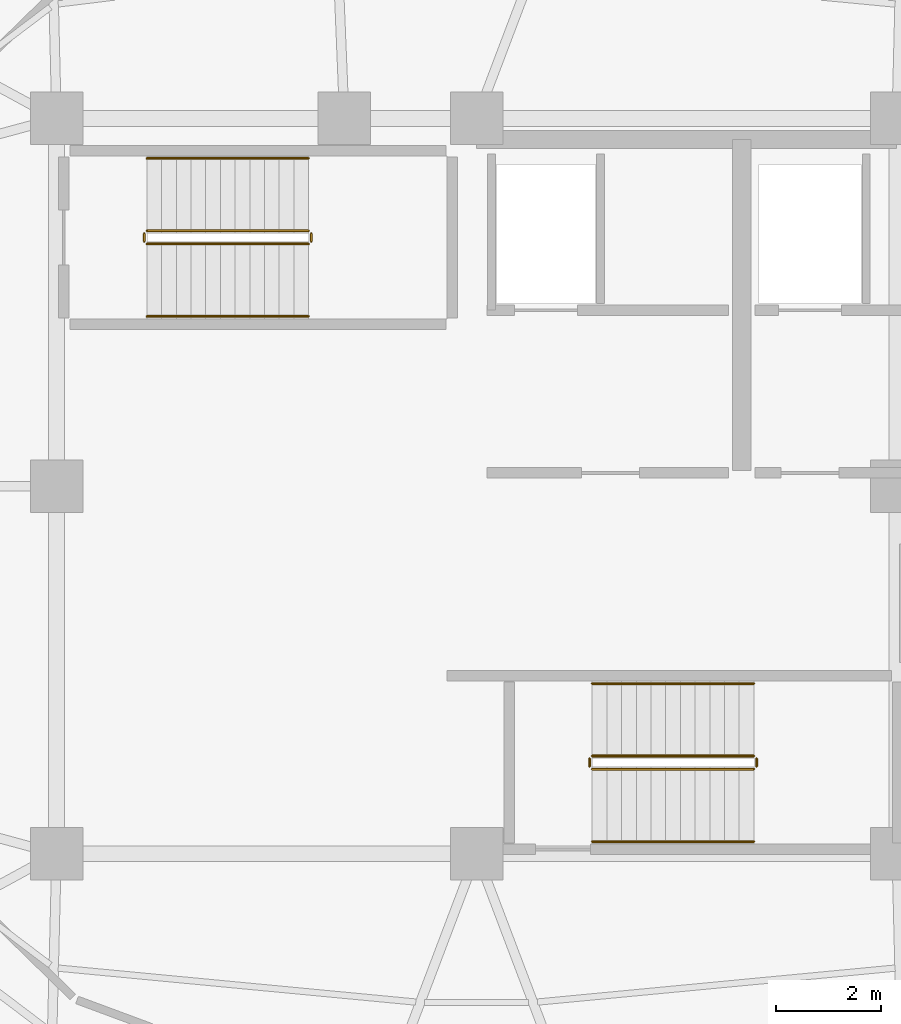
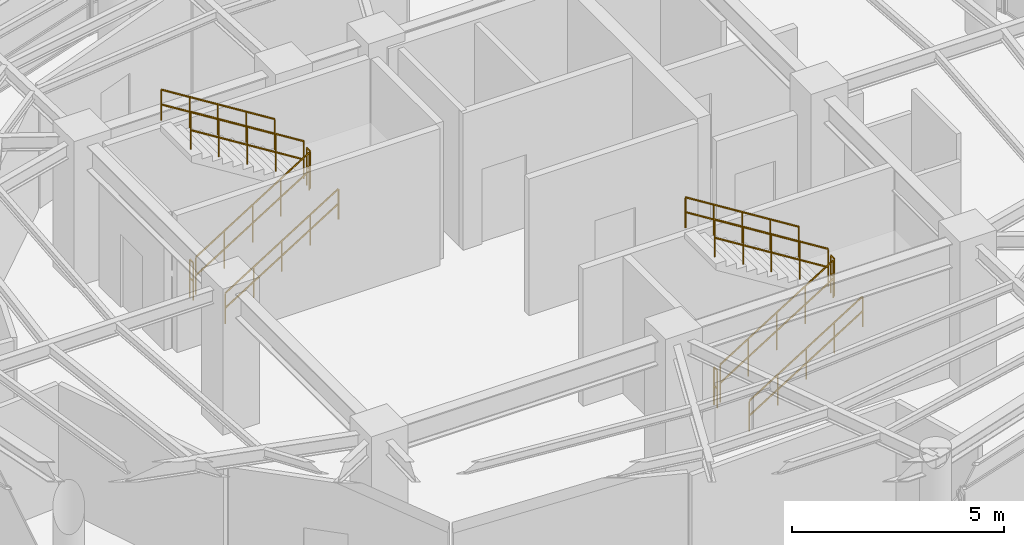
# One storey, part 19 of 19: 12 railings.
"""IFC4 building model written with IfcOpenShell, lengths in metres."""

import ifcopenshell
import ifcopenshell.guid

model = None  # the IFC model being written
_history = None  # IfcOwnerHistory: only IFC2X3 demands one
_inside = {}  # id of a spatial element -> (the spatial element, [elements in it])
_under = {}  # id of a project, library or spatial element -> (it, [spatial elements below it])
_declared = {}  # id of a project -> (the project, [libraries it declares])
_typed = {}  # id of a type object -> (the type object, [elements of that type])
_made_of = {}  # id of a material, layer set ... -> (it, [elements and type objects made of it])


def new_model(schema):
    """Start an empty IFC model of exactly this schema.

    Asked for "IFC4X3", IfcOpenShell would pick the latest addendum, in which some entities
    have other attributes; the version numbers below select the first issue.
    IFC2X3 requires an IfcOwnerHistory on every rooted entity: one is made here for all.
    """
    global model, _history
    if schema == "IFC4X3":
        model = ifcopenshell.file(schema_version=(4, 3, 0, 0))
    else:
        model = ifcopenshell.file(schema=schema)
    _inside.clear()
    _under.clear()
    _declared.clear()
    _typed.clear()
    _made_of.clear()
    _history = None
    if model.schema == "IFC2X3":
        org = make("IfcOrganization", Name="unknown")
        user = make(
            "IfcPersonAndOrganization",
            ThePerson=make("IfcPerson", FamilyName="unknown"),
            TheOrganization=org,
        )
        app = make(
            "IfcApplication",
            ApplicationDeveloper=org,
            Version="unknown",
            ApplicationFullName="unknown",
            ApplicationIdentifier="unknown",
        )
        _history = make(
            "IfcOwnerHistory",
            OwningUser=user,
            OwningApplication=app,
            ChangeAction="ADDED",
            CreationDate=0,
        )
    return model


def make(cls, **values):
    """One entity of the class cls with the attributes given. An attribute that is None is left unset."""
    return model.create_entity(
        cls, **{name: value for name, value in values.items() if value is not None}
    )


def rooted(cls, **values):
    """An entity with a GlobalId (a new one), such as an element, a storey or a relation."""
    return make(cls, GlobalId=ifcopenshell.guid.new(), OwnerHistory=_history, **values)


def si_unit(unit_type, name, prefix=None):
    """IfcSIUnit, for example si_unit("LENGTHUNIT", "METRE", prefix="MILLI")."""
    return make("IfcSIUnit", UnitType=unit_type, Prefix=prefix, Name=name)


def assignment(units):
    """IfcUnitAssignment: the units of a project."""
    return None if units is None else make("IfcUnitAssignment", Units=units)


def point(xyz):
    """IfcCartesianPoint."""
    return None if xyz is None else make("IfcCartesianPoint", Coordinates=xyz)


def direction(xyz):
    """IfcDirection."""
    return None if xyz is None else make("IfcDirection", DirectionRatios=xyz)


def frame(location, z_axis=None, x_axis=None):
    """IfcAxis2Placement3D, a coordinate frame: its origin and axes. An axis left out is left unset."""
    return make(
        "IfcAxis2Placement3D",
        Location=point(location),
        Axis=direction(z_axis),
        RefDirection=direction(x_axis),
    )


def origin():
    """The frame at (0, 0, 0) with its axes left unset."""
    return frame((0.0, 0.0, 0.0))


def place(relative_to, where):
    """IfcLocalPlacement: puts the frame where relative to a parent placement (None: the world)."""
    return make(
        "IfcLocalPlacement", PlacementRelTo=relative_to, RelativePlacement=where
    )


def context(
    kind, dimensions, precision=None, world=None, true_north=None, identifier=None
):
    """IfcGeometricRepresentationContext, for example the 3D "Model" context."""
    return make(
        "IfcGeometricRepresentationContext",
        ContextIdentifier=identifier,
        ContextType=kind,
        CoordinateSpaceDimension=dimensions,
        Precision=precision,
        WorldCoordinateSystem=world,
        TrueNorth=true_north,
    )


def subcontext(parent, identifier, kind, view, scale=None):
    """IfcGeometricRepresentationSubContext, for example "Body" below "Model"."""
    return make(
        "IfcGeometricRepresentationSubContext",
        ContextIdentifier=identifier,
        ContextType=kind,
        ParentContext=parent,
        TargetScale=scale,
        TargetView=view,
    )


def project(units=None, contexts=None):
    """IfcProject with its units and contexts."""
    return rooted(
        "IfcProject",
        Name="project",
        RepresentationContexts=contexts,
        UnitsInContext=assignment(units),
    )


def spatial(cls, under=None, at=None, **own):
    """A site, building, storey or space (cls), placed at a placement, below another one or the project."""
    s = rooted(cls, ObjectPlacement=at, **own)
    if under is not None:
        _under.setdefault(under.id(), (under, []))[1].append(s)
    return s


def polyline(points):
    """IfcPolyline through the points."""
    return make("IfcPolyline", Points=[point(p) for p in points])


def outline(outer, holes=None, kind="AREA"):
    """IfcArbitraryClosedProfileDef: a profile drawn as a closed curve; with holes, ...WithVoids."""
    if holes is None:
        return make("IfcArbitraryClosedProfileDef", ProfileType=kind, OuterCurve=outer)
    return make(
        "IfcArbitraryProfileDefWithVoids",
        ProfileType=kind,
        OuterCurve=outer,
        InnerCurves=holes,
    )


def extrude(swept, where, along, depth):
    """IfcExtrudedAreaSolid: the profile swept, set in the frame where, extruded along a direction by depth."""
    return make(
        "IfcExtrudedAreaSolid",
        SweptArea=swept,
        Position=where,
        ExtrudedDirection=direction(along),
        Depth=depth,
    )


def shape(context_of_items, identifier, shape_type, items):
    """IfcShapeRepresentation: the items that make up one representation, for example the "Body"."""
    return make(
        "IfcShapeRepresentation",
        ContextOfItems=context_of_items,
        RepresentationIdentifier=identifier,
        RepresentationType=shape_type,
        Items=items,
    )


def material(Name=None, Category=None):
    """IfcMaterial."""
    return make("IfcMaterial", Name=Name, Category=Category)


def made_of(thing, what):
    """Note that an element or type object is made of a material, layer set ...; save() writes the relation."""
    if what is not None:
        _made_of.setdefault(what.id(), (what, []))[1].append(thing)
    return thing


def type_object(cls, material=None, **own):
    """A type object (cls), such as IfcWallType, which elements share."""
    return made_of(rooted(cls, **own), material)


def element(
    cls,
    number,
    at=None,
    inside=None,
    cuts=None,
    type_object=None,
    material=None,
    context=None,
    identifier="Body",
    shape_type=None,
    held_by="IfcProductDefinitionShape",
    body=None,
    shapes=None,
    **own,
):
    """One element of the class cls, such as IfcWall. Its Tag is "e" and its number.

    at: its placement. inside: the storey or other place that contains it. cuts: it is an
    opening in that element (IfcRelVoidsElement). A single representation is given by context,
    identifier, shape_type and body (its items); several are given by shapes. held_by: the class
    of the entity that holds the representations. save() writes the other relations.
    """
    e = rooted(cls, Tag="e%d" % number, ObjectPlacement=at, **own)
    if body is not None:
        shapes = [shape(context, identifier, shape_type, body)]
    if shapes is not None:
        e.Representation = make(held_by, Representations=shapes)
    if inside is not None:
        _inside.setdefault(inside.id(), (inside, []))[1].append(e)
    if cuts is not None:
        rooted(
            "IfcRelVoidsElement", RelatingBuildingElement=cuts, RelatedOpeningElement=e
        )
    if type_object is not None:
        _typed.setdefault(type_object.id(), (type_object, []))[1].append(e)
    return made_of(e, material)


def aggregate(whole, parts):
    """IfcRelAggregates: a whole, such as a stair, and the parts it consists of."""
    return rooted("IfcRelAggregates", RelatingObject=whole, RelatedObjects=parts)


def save(model, path):
    """Write the relations noted so far, then the file.

    IfcRelAggregates (storeys below a building ...), IfcRelContainedInSpatialStructure (elements
    in a storey), IfcRelDefinesByType, IfcRelAssociatesMaterial and IfcRelDeclares: one each for
    every whole, place, type object, material and project.
    """
    for whole, parts in _under.values():
        aggregate(whole, parts)
    for where, things in _inside.values():
        rooted(
            "IfcRelContainedInSpatialStructure",
            RelatedElements=things,
            RelatingStructure=where,
        )
    for kind, things in _typed.values():
        rooted("IfcRelDefinesByType", RelatedObjects=things, RelatingType=kind)
    for what, things in _made_of.values():
        rooted("IfcRelAssociatesMaterial", RelatedObjects=things, RelatingMaterial=what)
    for by, libraries in _declared.values():
        rooted("IfcRelDeclares", RelatingContext=by, RelatedDefinitions=libraries)
    model.write(path)


model = new_model("IFC4")

# Units and contexts
model_context = context("Model", 3, precision=1e-05, world=origin(), true_north=direction((0.0, 1.0)))
body_context = subcontext(model_context, "Body", "Model", "MODEL_VIEW")
ifc_project = project(units=[si_unit("LENGTHUNIT", "METRE"), si_unit("AREAUNIT", "SQUARE_METRE"), si_unit("VOLUMEUNIT", "CUBIC_METRE"), si_unit("PLANEANGLEUNIT", "RADIAN"), si_unit("MASSUNIT", "GRAM", prefix="KILO")], contexts=[model_context])

# Site, building, storey
site_placement = place(None, origin())
site = spatial("IfcSite", under=ifc_project, at=site_placement, CompositionType="ELEMENT")
building_placement = place(site_placement, origin())
building = spatial("IfcBuilding", under=site, at=building_placement, Name="Kelanora Arch Commons", CompositionType="ELEMENT")
storey_placement = place(building_placement, frame((0.0, 0.0, 302.699951171875)))
storey = spatial("IfcBuildingStorey", under=building, at=storey_placement, Name="L77", CompositionType="ELEMENT", Elevation=302.699951171875)

# Railings
ifc_material_1 = material(Name="Painted steel stair well guard", Category="steel")
railing_type_1 = type_object("IfcRailingType", Name="RAIL-STAIR-GRD", PredefinedType="GUARDRAIL", material=ifc_material_1)
railing_1_placement = place(storey_placement, frame((67.719970703125, 62.610107421875, 0.175048828125)))
element("IfcRailing", 1, at=railing_1_placement, inside=storey, type_object=railing_type_1, Name="L77 ST-T1 stair guard 1", PredefinedType="GUARDRAIL", context=body_context, shape_type="SweptSolid", body=[
    extrude(outline(polyline([(0.02392578125, 0.0), (0.011962890625, 0.020751953125), (-0.011962890625, 0.020751953125), (-0.02392578125, 0.0), (-0.011962890625, -0.020751953125), (0.011962890625, -0.020751953125), (0.02392578125, 0.0)])), frame((0.0, 0.0, 1.076171875), z_axis=(0.847998304005, 0.0, 0.529998940003), x_axis=(0.0, 1.0, 0.0)), (0.0, 0.0, 1.0), 3.632080078125),
    extrude(outline(polyline([(0.02392578125, 0.0), (0.011962890625, 0.020751953125), (-0.011962890625, 0.020751953125), (-0.02392578125, 0.0), (-0.011962890625, -0.020751953125), (0.011962890625, -0.020751953125), (0.02392578125, 0.0)])), frame((0.0, 0.0, 0.550048828125), z_axis=(0.847998304005, 0.0, 0.529998940003), x_axis=(0.0, 1.0, 0.0)), (0.0, 0.0, 1.0), 3.632080078125),
    extrude(outline(polyline([(0.02099609375, 0.0), (0.010498046875, 0.01806640625), (-0.010498046875, 0.01806640625), (-0.02099609375, 0.0), (-0.010498046875, -0.01806640625), (0.010498046875, -0.01806640625), (0.02099609375, 0.0)])), origin(), (0.0, 0.0, 1.0), 1.052001953125),
    extrude(outline(polyline([(0.02099609375, 0.0), (0.010498046875, 0.01806640625), (-0.010498046875, 0.01806640625), (-0.02099609375, 0.0), (-0.010498046875, -0.01806640625), (0.010498046875, -0.01806640625), (0.02099609375, 0.0)])), frame((0.77001953125, 0.0, 0.481201171875)), (0.0, 0.0, 1.0), 1.052001953125),
    extrude(outline(polyline([(0.02099609375, 0.0), (0.010498046875, 0.01806640625), (-0.010498046875, 0.01806640625), (-0.02099609375, 0.0), (-0.010498046875, -0.01806640625), (0.010498046875, -0.01806640625), (0.02099609375, 0.0)])), frame((1.5400390625, 0.0, 0.96240234375)), (0.0, 0.0, 1.0), 1.052001953125),
    extrude(outline(polyline([(0.02099609375, 0.0), (0.010498046875, 0.01806640625), (-0.010498046875, 0.01806640625), (-0.02099609375, 0.0), (-0.010498046875, -0.01806640625), (0.010498046875, -0.01806640625), (0.02099609375, 0.0)])), frame((2.31005859375, 0.0, 1.44384765625)), (0.0, 0.0, 1.0), 1.052001953125),
    extrude(outline(polyline([(0.02099609375, 0.0), (0.010498046875, 0.01806640625), (-0.010498046875, 0.01806640625), (-0.02099609375, 0.0), (-0.010498046875, -0.01806640625), (0.010498046875, -0.01806640625), (0.02099609375, 0.0)])), frame((3.080078125, 0.0, 1.925048828125)), (0.0, 0.0, 1.0), 1.052001953125),
])
railing_2_placement = place(storey_placement, frame((70.85009765625, 62.659912109375, 2.10009765625)))
element("IfcRailing", 2, at=railing_2_placement, inside=storey, type_object=railing_type_1, Name="L77 ST-T1 stair guard 2", PredefinedType="GUARDRAIL", context=body_context, shape_type="SweptSolid", body=[
    extrude(outline(polyline([(0.02392578125, 0.0), (0.011962890625, 0.020751953125), (-0.011962890625, 0.020751953125), (-0.02392578125, 0.0), (-0.011962890625, -0.020751953125), (0.011962890625, -0.020751953125), (0.02392578125, 0.0)])), frame((0.0, 0.0, 1.076171875), z_axis=(0.0, 1.0, 0.0), x_axis=(-1.0, 0.0, 0.0)), (0.0, 0.0, 1.0), 0.150146484375),
    extrude(outline(polyline([(0.02392578125, 0.0), (0.011962890625, 0.020751953125), (-0.011962890625, 0.020751953125), (-0.02392578125, 0.0), (-0.011962890625, -0.020751953125), (0.011962890625, -0.020751953125), (0.02392578125, 0.0)])), frame((0.0, 0.0, 0.550048828125), z_axis=(0.0, 1.0, 0.0), x_axis=(-1.0, 0.0, 0.0)), (0.0, 0.0, 1.0), 0.150146484375),
    extrude(outline(polyline([(0.02099609375, 0.0), (0.010498046875, 0.01806640625), (-0.010498046875, 0.01806640625), (-0.02099609375, 0.0), (-0.010498046875, -0.01806640625), (0.010498046875, -0.01806640625), (0.02099609375, 0.0)])), origin(), (0.0, 0.0, 1.0), 1.052001953125),
    extrude(outline(polyline([(0.02099609375, 0.0), (0.010498046875, 0.01806640625), (-0.010498046875, 0.01806640625), (-0.02099609375, 0.0), (-0.010498046875, -0.01806640625), (0.010498046875, -0.01806640625), (0.02099609375, 0.0)])), frame((0.0, 0.150146484375, 0.0)), (0.0, 0.0, 1.0), 1.052001953125),
])
railing_3_placement = place(storey_placement, frame((70.800048828125, 62.860107421875, 2.275146484375)))
element("IfcRailing", 3, at=railing_3_placement, inside=storey, type_object=railing_type_1, Name="L77 ST-T1 stair guard 3", PredefinedType="GUARDRAIL", context=body_context, shape_type="SweptSolid", body=[
    extrude(outline(polyline([(0.02392578125, 0.0), (0.011962890625, 0.020751953125), (-0.011962890625, 0.020751953125), (-0.02392578125, 0.0), (-0.011962890625, -0.020751953125), (0.011962890625, -0.020751953125), (0.02392578125, 0.0)])), frame((0.0, 0.0, 1.076171875), z_axis=(-0.848028513186, 0.0, 0.529950602248), x_axis=(0.0, -1.0, 0.0)), (0.0, 0.0, 1.0), 3.632080078125),
    extrude(outline(polyline([(0.02392578125, 0.0), (0.011962890625, 0.020751953125), (-0.011962890625, 0.020751953125), (-0.02392578125, 0.0), (-0.011962890625, -0.020751953125), (0.011962890625, -0.020751953125), (0.02392578125, 0.0)])), frame((0.0, 0.0, 0.550048828125), z_axis=(-0.848028513186, 0.0, 0.529950602248), x_axis=(0.0, -1.0, 0.0)), (0.0, 0.0, 1.0), 3.632080078125),
    extrude(outline(polyline([(0.02099609375, 0.0), (0.010498046875, 0.01806640625), (-0.010498046875, 0.01806640625), (-0.02099609375, 0.0), (-0.010498046875, -0.01806640625), (0.010498046875, -0.01806640625), (0.02099609375, 0.0)])), origin(), (0.0, 0.0, 1.0), 1.052001953125),
    extrude(outline(polyline([(0.02099609375, 0.0), (0.010498046875, 0.01806640625), (-0.010498046875, 0.01806640625), (-0.02099609375, 0.0), (-0.010498046875, -0.01806640625), (0.010498046875, -0.01806640625), (0.02099609375, 0.0)])), frame((-0.77001953125, 0.0, 0.481201171875)), (0.0, 0.0, 1.0), 1.052001953125),
    extrude(outline(polyline([(0.02099609375, 0.0), (0.010498046875, 0.01806640625), (-0.010498046875, 0.01806640625), (-0.02099609375, 0.0), (-0.010498046875, -0.01806640625), (0.010498046875, -0.01806640625), (0.02099609375, 0.0)])), frame((-1.5400390625, 0.0, 0.96240234375)), (0.0, 0.0, 1.0), 1.052001953125),
    extrude(outline(polyline([(0.02099609375, 0.0), (0.010498046875, 0.01806640625), (-0.010498046875, 0.01806640625), (-0.02099609375, 0.0), (-0.010498046875, -0.01806640625), (0.010498046875, -0.01806640625), (0.02099609375, 0.0)])), frame((-2.31005859375, 0.0, 1.443603515625)), (0.0, 0.0, 1.0), 1.052001953125),
    extrude(outline(polyline([(0.02099609375, 0.0), (0.010498046875, 0.01806640625), (-0.010498046875, 0.01806640625), (-0.02099609375, 0.0), (-0.010498046875, -0.01806640625), (0.010498046875, -0.01806640625), (0.02099609375, 0.0)])), frame((-3.080078125, 0.0, 1.9248046875)), (0.0, 0.0, 1.0), 1.052001953125),
])
railing_4_placement = place(storey_placement, frame((67.669921875, 62.659912109375, 0.0)))
element("IfcRailing", 4, at=railing_4_placement, inside=storey, type_object=railing_type_1, Name="L77 ST-T1 stair guard 4", PredefinedType="GUARDRAIL", context=body_context, shape_type="SweptSolid", body=[
    extrude(outline(polyline([(0.02392578125, 0.0), (0.011962890625, 0.020751953125), (-0.011962890625, 0.020751953125), (-0.02392578125, 0.0), (-0.011962890625, -0.020751953125), (0.011962890625, -0.020751953125), (0.02392578125, 0.0)])), frame((0.0, 0.0, 1.076171875), z_axis=(0.0, 1.0, 0.0), x_axis=(-1.0, 0.0, 0.0)), (0.0, 0.0, 1.0), 0.150146484375),
    extrude(outline(polyline([(0.02392578125, 0.0), (0.011962890625, 0.020751953125), (-0.011962890625, 0.020751953125), (-0.02392578125, 0.0), (-0.011962890625, -0.020751953125), (0.011962890625, -0.020751953125), (0.02392578125, 0.0)])), frame((0.0, 0.0, 0.550048828125), z_axis=(0.0, 1.0, 0.0), x_axis=(-1.0, 0.0, 0.0)), (0.0, 0.0, 1.0), 0.150146484375),
    extrude(outline(polyline([(0.02099609375, 0.0), (0.010498046875, 0.01806640625), (-0.010498046875, 0.01806640625), (-0.02099609375, 0.0), (-0.010498046875, -0.01806640625), (0.010498046875, -0.01806640625), (0.02099609375, 0.0)])), origin(), (0.0, 0.0, 1.0), 1.052001953125),
    extrude(outline(polyline([(0.02099609375, 0.0), (0.010498046875, 0.01806640625), (-0.010498046875, 0.01806640625), (-0.02099609375, 0.0), (-0.010498046875, -0.01806640625), (0.010498046875, -0.01806640625), (0.02099609375, 0.0)])), frame((0.0, 0.150146484375, 0.0)), (0.0, 0.0, 1.0), 1.052001953125),
])
railing_5_placement = place(storey_placement, frame((76.199951171875, 52.610107421875, 0.175048828125)))
element("IfcRailing", 5, at=railing_5_placement, inside=storey, type_object=railing_type_1, Name="L77 ST-T2 stair guard 1", PredefinedType="GUARDRAIL", context=body_context, shape_type="SweptSolid", body=[
    extrude(outline(polyline([(0.02392578125, 0.0), (0.011962890625, 0.020751953125), (-0.011962890625, 0.020751953125), (-0.02392578125, 0.0), (-0.011962890625, -0.020751953125), (0.011962890625, -0.020751953125), (0.02392578125, 0.0)])), frame((0.0, 0.0, 1.076171875), z_axis=(0.847998304005, 0.0, 0.529998940003), x_axis=(0.0, 1.0, 0.0)), (0.0, 0.0, 1.0), 3.632080078125),
    extrude(outline(polyline([(0.02392578125, 0.0), (0.011962890625, 0.020751953125), (-0.011962890625, 0.020751953125), (-0.02392578125, 0.0), (-0.011962890625, -0.020751953125), (0.011962890625, -0.020751953125), (0.02392578125, 0.0)])), frame((0.0, 0.0, 0.550048828125), z_axis=(0.847998304005, 0.0, 0.529998940003), x_axis=(0.0, 1.0, 0.0)), (0.0, 0.0, 1.0), 3.632080078125),
    extrude(outline(polyline([(0.02099609375, 0.0), (0.010498046875, 0.01806640625), (-0.010498046875, 0.01806640625), (-0.02099609375, 0.0), (-0.010498046875, -0.01806640625), (0.010498046875, -0.01806640625), (0.02099609375, 0.0)])), origin(), (0.0, 0.0, 1.0), 1.052001953125),
    extrude(outline(polyline([(0.02099609375, 0.0), (0.010498046875, 0.01806640625), (-0.010498046875, 0.01806640625), (-0.02099609375, 0.0), (-0.010498046875, -0.01806640625), (0.010498046875, -0.01806640625), (0.02099609375, 0.0)])), frame((0.77001953125, 0.0, 0.481201171875)), (0.0, 0.0, 1.0), 1.052001953125),
    extrude(outline(polyline([(0.02099609375, 0.0), (0.010498046875, 0.01806640625), (-0.010498046875, 0.01806640625), (-0.02099609375, 0.0), (-0.010498046875, -0.01806640625), (0.010498046875, -0.01806640625), (0.02099609375, 0.0)])), frame((1.5400390625, 0.0, 0.96240234375)), (0.0, 0.0, 1.0), 1.052001953125),
    extrude(outline(polyline([(0.02099609375, 0.0), (0.010498046875, 0.01806640625), (-0.010498046875, 0.01806640625), (-0.02099609375, 0.0), (-0.010498046875, -0.01806640625), (0.010498046875, -0.01806640625), (0.02099609375, 0.0)])), frame((2.31005859375, 0.0, 1.44384765625)), (0.0, 0.0, 1.0), 1.052001953125),
    extrude(outline(polyline([(0.02099609375, 0.0), (0.010498046875, 0.01806640625), (-0.010498046875, 0.01806640625), (-0.02099609375, 0.0), (-0.010498046875, -0.01806640625), (0.010498046875, -0.01806640625), (0.02099609375, 0.0)])), frame((3.080078125, 0.0, 1.925048828125)), (0.0, 0.0, 1.0), 1.052001953125),
])
railing_6_placement = place(storey_placement, frame((79.330078125, 52.659912109375, 2.10009765625)))
element("IfcRailing", 6, at=railing_6_placement, inside=storey, type_object=railing_type_1, Name="L77 ST-T2 stair guard 2", PredefinedType="GUARDRAIL", context=body_context, shape_type="SweptSolid", body=[
    extrude(outline(polyline([(0.02392578125, 0.0), (0.011962890625, 0.020751953125), (-0.011962890625, 0.020751953125), (-0.02392578125, 0.0), (-0.011962890625, -0.020751953125), (0.011962890625, -0.020751953125), (0.02392578125, 0.0)])), frame((0.0, 0.0, 1.076171875), z_axis=(0.0, 1.0, 0.0), x_axis=(-1.0, 0.0, 0.0)), (0.0, 0.0, 1.0), 0.150146484375),
    extrude(outline(polyline([(0.02392578125, 0.0), (0.011962890625, 0.020751953125), (-0.011962890625, 0.020751953125), (-0.02392578125, 0.0), (-0.011962890625, -0.020751953125), (0.011962890625, -0.020751953125), (0.02392578125, 0.0)])), frame((0.0, 0.0, 0.550048828125), z_axis=(0.0, 1.0, 0.0), x_axis=(-1.0, 0.0, 0.0)), (0.0, 0.0, 1.0), 0.150146484375),
    extrude(outline(polyline([(0.02099609375, 0.0), (0.010498046875, 0.01806640625), (-0.010498046875, 0.01806640625), (-0.02099609375, 0.0), (-0.010498046875, -0.01806640625), (0.010498046875, -0.01806640625), (0.02099609375, 0.0)])), origin(), (0.0, 0.0, 1.0), 1.052001953125),
    extrude(outline(polyline([(0.02099609375, 0.0), (0.010498046875, 0.01806640625), (-0.010498046875, 0.01806640625), (-0.02099609375, 0.0), (-0.010498046875, -0.01806640625), (0.010498046875, -0.01806640625), (0.02099609375, 0.0)])), frame((0.0, 0.150146484375, 0.0)), (0.0, 0.0, 1.0), 1.052001953125),
])
railing_7_placement = place(storey_placement, frame((79.280029296875, 52.860107421875, 2.275146484375)))
element("IfcRailing", 7, at=railing_7_placement, inside=storey, type_object=railing_type_1, Name="L77 ST-T2 stair guard 3", PredefinedType="GUARDRAIL", context=body_context, shape_type="SweptSolid", body=[
    extrude(outline(polyline([(0.02392578125, 0.0), (0.011962890625, 0.020751953125), (-0.011962890625, 0.020751953125), (-0.02392578125, 0.0), (-0.011962890625, -0.020751953125), (0.011962890625, -0.020751953125), (0.02392578125, 0.0)])), frame((0.0, 0.0, 1.076171875), z_axis=(-0.848028513186, 0.0, 0.529950602248), x_axis=(0.0, -1.0, 0.0)), (0.0, 0.0, 1.0), 3.632080078125),
    extrude(outline(polyline([(0.02392578125, 0.0), (0.011962890625, 0.020751953125), (-0.011962890625, 0.020751953125), (-0.02392578125, 0.0), (-0.011962890625, -0.020751953125), (0.011962890625, -0.020751953125), (0.02392578125, 0.0)])), frame((0.0, 0.0, 0.550048828125), z_axis=(-0.848028513186, 0.0, 0.529950602248), x_axis=(0.0, -1.0, 0.0)), (0.0, 0.0, 1.0), 3.632080078125),
    extrude(outline(polyline([(0.02099609375, 0.0), (0.010498046875, 0.01806640625), (-0.010498046875, 0.01806640625), (-0.02099609375, 0.0), (-0.010498046875, -0.01806640625), (0.010498046875, -0.01806640625), (0.02099609375, 0.0)])), origin(), (0.0, 0.0, 1.0), 1.052001953125),
    extrude(outline(polyline([(0.02099609375, 0.0), (0.010498046875, 0.01806640625), (-0.010498046875, 0.01806640625), (-0.02099609375, 0.0), (-0.010498046875, -0.01806640625), (0.010498046875, -0.01806640625), (0.02099609375, 0.0)])), frame((-0.77001953125, 0.0, 0.481201171875)), (0.0, 0.0, 1.0), 1.052001953125),
    extrude(outline(polyline([(0.02099609375, 0.0), (0.010498046875, 0.01806640625), (-0.010498046875, 0.01806640625), (-0.02099609375, 0.0), (-0.010498046875, -0.01806640625), (0.010498046875, -0.01806640625), (0.02099609375, 0.0)])), frame((-1.5400390625, 0.0, 0.96240234375)), (0.0, 0.0, 1.0), 1.052001953125),
    extrude(outline(polyline([(0.02099609375, 0.0), (0.010498046875, 0.01806640625), (-0.010498046875, 0.01806640625), (-0.02099609375, 0.0), (-0.010498046875, -0.01806640625), (0.010498046875, -0.01806640625), (0.02099609375, 0.0)])), frame((-2.31005859375, 0.0, 1.443603515625)), (0.0, 0.0, 1.0), 1.052001953125),
    extrude(outline(polyline([(0.02099609375, 0.0), (0.010498046875, 0.01806640625), (-0.010498046875, 0.01806640625), (-0.02099609375, 0.0), (-0.010498046875, -0.01806640625), (0.010498046875, -0.01806640625), (0.02099609375, 0.0)])), frame((-3.080078125, 0.0, 1.9248046875)), (0.0, 0.0, 1.0), 1.052001953125),
])
railing_8_placement = place(storey_placement, frame((76.14990234375, 52.659912109375, 0.0)))
element("IfcRailing", 8, at=railing_8_placement, inside=storey, type_object=railing_type_1, Name="L77 ST-T2 stair guard 4", PredefinedType="GUARDRAIL", context=body_context, shape_type="SweptSolid", body=[
    extrude(outline(polyline([(0.02392578125, 0.0), (0.011962890625, 0.020751953125), (-0.011962890625, 0.020751953125), (-0.02392578125, 0.0), (-0.011962890625, -0.020751953125), (0.011962890625, -0.020751953125), (0.02392578125, 0.0)])), frame((0.0, 0.0, 1.076171875), z_axis=(0.0, 1.0, 0.0), x_axis=(-1.0, 0.0, 0.0)), (0.0, 0.0, 1.0), 0.150146484375),
    extrude(outline(polyline([(0.02392578125, 0.0), (0.011962890625, 0.020751953125), (-0.011962890625, 0.020751953125), (-0.02392578125, 0.0), (-0.011962890625, -0.020751953125), (0.011962890625, -0.020751953125), (0.02392578125, 0.0)])), frame((0.0, 0.0, 0.550048828125), z_axis=(0.0, 1.0, 0.0), x_axis=(-1.0, 0.0, 0.0)), (0.0, 0.0, 1.0), 0.150146484375),
    extrude(outline(polyline([(0.02099609375, 0.0), (0.010498046875, 0.01806640625), (-0.010498046875, 0.01806640625), (-0.02099609375, 0.0), (-0.010498046875, -0.01806640625), (0.010498046875, -0.01806640625), (0.02099609375, 0.0)])), origin(), (0.0, 0.0, 1.0), 1.052001953125),
    extrude(outline(polyline([(0.02099609375, 0.0), (0.010498046875, 0.01806640625), (-0.010498046875, 0.01806640625), (-0.02099609375, 0.0), (-0.010498046875, -0.01806640625), (0.010498046875, -0.01806640625), (0.02099609375, 0.0)])), frame((0.0, 0.150146484375, 0.0)), (0.0, 0.0, 1.0), 1.052001953125),
])
ifc_material_2 = material(Name="Brushed stainless steel stair handrail", Category="steel")
railing_type_2 = type_object("IfcRailingType", Name="RAIL-STAIR-HND", PredefinedType="HANDRAIL", material=ifc_material_2)
railing_9_placement = place(storey_placement, frame((67.719970703125, 61.22998046875, 0.175048828125)))
element("IfcRailing", 9, at=railing_9_placement, inside=storey, type_object=railing_type_2, Name="L77 ST-T1 stair handrail 1", PredefinedType="HANDRAIL", context=body_context, shape_type="SweptSolid", body=[
    extrude(outline(polyline([(0.02392578125, 0.0), (0.011962890625, 0.020751953125), (-0.011962890625, 0.020751953125), (-0.02392578125, 0.0), (-0.011962890625, -0.020751953125), (0.011962890625, -0.020751953125), (0.02392578125, 0.0)])), frame((0.0, 0.0, 0.8759765625), z_axis=(0.847998304005, 0.0, 0.529998940003), x_axis=(0.0, 1.0, 0.0)), (0.0, 0.0, 1.0), 3.632080078125),
    extrude(outline(polyline([(0.02392578125, 0.0), (0.011962890625, 0.020751953125), (-0.011962890625, 0.020751953125), (-0.02392578125, 0.0), (-0.011962890625, -0.020751953125), (0.011962890625, -0.020751953125), (0.02392578125, 0.0)])), frame((0.0, 0.0, 0.449951171875), z_axis=(0.847998304005, 0.0, 0.529998940003), x_axis=(0.0, 1.0, 0.0)), (0.0, 0.0, 1.0), 3.632080078125),
    extrude(outline(polyline([(0.02099609375, 0.0), (0.010498046875, 0.01806640625), (-0.010498046875, 0.01806640625), (-0.02099609375, 0.0), (-0.010498046875, -0.01806640625), (0.010498046875, -0.01806640625), (0.02099609375, 0.0)])), origin(), (0.0, 0.0, 1.0), 0.851806640625),
    extrude(outline(polyline([(0.02099609375, 0.0), (0.010498046875, 0.01806640625), (-0.010498046875, 0.01806640625), (-0.02099609375, 0.0), (-0.010498046875, -0.01806640625), (0.010498046875, -0.01806640625), (0.02099609375, 0.0)])), frame((0.77001953125, 0.0, 0.481201171875)), (0.0, 0.0, 1.0), 0.851806640625),
    extrude(outline(polyline([(0.02099609375, 0.0), (0.010498046875, 0.01806640625), (-0.010498046875, 0.01806640625), (-0.02099609375, 0.0), (-0.010498046875, -0.01806640625), (0.010498046875, -0.01806640625), (0.02099609375, 0.0)])), frame((1.5400390625, 0.0, 0.96240234375)), (0.0, 0.0, 1.0), 0.851806640625),
    extrude(outline(polyline([(0.02099609375, 0.0), (0.010498046875, 0.01806640625), (-0.010498046875, 0.01806640625), (-0.02099609375, 0.0), (-0.010498046875, -0.01806640625), (0.010498046875, -0.01806640625), (0.02099609375, 0.0)])), frame((2.31005859375, 0.0, 1.44384765625)), (0.0, 0.0, 1.0), 0.851806640625),
    extrude(outline(polyline([(0.02099609375, 0.0), (0.010498046875, 0.01806640625), (-0.010498046875, 0.01806640625), (-0.02099609375, 0.0), (-0.010498046875, -0.01806640625), (0.010498046875, -0.01806640625), (0.02099609375, 0.0)])), frame((3.080078125, 0.0, 1.925048828125)), (0.0, 0.0, 1.0), 0.851806640625),
])
railing_10_placement = place(storey_placement, frame((70.800048828125, 64.239990234375, 2.275146484375)))
element("IfcRailing", 10, at=railing_10_placement, inside=storey, type_object=railing_type_2, Name="L77 ST-T1 stair handrail 2", PredefinedType="HANDRAIL", context=body_context, shape_type="SweptSolid", body=[
    extrude(outline(polyline([(0.02392578125, 0.0), (0.011962890625, 0.020751953125), (-0.011962890625, 0.020751953125), (-0.02392578125, 0.0), (-0.011962890625, -0.020751953125), (0.011962890625, -0.020751953125), (0.02392578125, 0.0)])), frame((0.0, 0.0, 0.8759765625), z_axis=(-0.848028513186, 0.0, 0.529950602248), x_axis=(0.0, -1.0, 0.0)), (0.0, 0.0, 1.0), 3.632080078125),
    extrude(outline(polyline([(0.02392578125, 0.0), (0.011962890625, 0.020751953125), (-0.011962890625, 0.020751953125), (-0.02392578125, 0.0), (-0.011962890625, -0.020751953125), (0.011962890625, -0.020751953125), (0.02392578125, 0.0)])), frame((0.0, 0.0, 0.449951171875), z_axis=(-0.848028513186, 0.0, 0.529950602248), x_axis=(0.0, -1.0, 0.0)), (0.0, 0.0, 1.0), 3.632080078125),
    extrude(outline(polyline([(0.02099609375, 0.0), (0.010498046875, 0.01806640625), (-0.010498046875, 0.01806640625), (-0.02099609375, 0.0), (-0.010498046875, -0.01806640625), (0.010498046875, -0.01806640625), (0.02099609375, 0.0)])), origin(), (0.0, 0.0, 1.0), 0.851806640625),
    extrude(outline(polyline([(0.02099609375, 0.0), (0.010498046875, 0.01806640625), (-0.010498046875, 0.01806640625), (-0.02099609375, 0.0), (-0.010498046875, -0.01806640625), (0.010498046875, -0.01806640625), (0.02099609375, 0.0)])), frame((-0.77001953125, 0.0, 0.481201171875)), (0.0, 0.0, 1.0), 0.851806640625),
    extrude(outline(polyline([(0.02099609375, 0.0), (0.010498046875, 0.01806640625), (-0.010498046875, 0.01806640625), (-0.02099609375, 0.0), (-0.010498046875, -0.01806640625), (0.010498046875, -0.01806640625), (0.02099609375, 0.0)])), frame((-1.5400390625, 0.0, 0.96240234375)), (0.0, 0.0, 1.0), 0.851806640625),
    extrude(outline(polyline([(0.02099609375, 0.0), (0.010498046875, 0.01806640625), (-0.010498046875, 0.01806640625), (-0.02099609375, 0.0), (-0.010498046875, -0.01806640625), (0.010498046875, -0.01806640625), (0.02099609375, 0.0)])), frame((-2.31005859375, 0.0, 1.443603515625)), (0.0, 0.0, 1.0), 0.851806640625),
    extrude(outline(polyline([(0.02099609375, 0.0), (0.010498046875, 0.01806640625), (-0.010498046875, 0.01806640625), (-0.02099609375, 0.0), (-0.010498046875, -0.01806640625), (0.010498046875, -0.01806640625), (0.02099609375, 0.0)])), frame((-3.080078125, 0.0, 1.9248046875)), (0.0, 0.0, 1.0), 0.851806640625),
])
railing_11_placement = place(storey_placement, frame((76.199951171875, 51.22998046875, 0.175048828125)))
element("IfcRailing", 11, at=railing_11_placement, inside=storey, type_object=railing_type_2, Name="L77 ST-T2 stair handrail 1", PredefinedType="HANDRAIL", context=body_context, shape_type="SweptSolid", body=[
    extrude(outline(polyline([(0.02392578125, 0.0), (0.011962890625, 0.020751953125), (-0.011962890625, 0.020751953125), (-0.02392578125, 0.0), (-0.011962890625, -0.020751953125), (0.011962890625, -0.020751953125), (0.02392578125, 0.0)])), frame((0.0, 0.0, 0.8759765625), z_axis=(0.847998304005, 0.0, 0.529998940003), x_axis=(0.0, 1.0, 0.0)), (0.0, 0.0, 1.0), 3.632080078125),
    extrude(outline(polyline([(0.02392578125, 0.0), (0.011962890625, 0.020751953125), (-0.011962890625, 0.020751953125), (-0.02392578125, 0.0), (-0.011962890625, -0.020751953125), (0.011962890625, -0.020751953125), (0.02392578125, 0.0)])), frame((0.0, 0.0, 0.449951171875), z_axis=(0.847998304005, 0.0, 0.529998940003), x_axis=(0.0, 1.0, 0.0)), (0.0, 0.0, 1.0), 3.632080078125),
    extrude(outline(polyline([(0.02099609375, 0.0), (0.010498046875, 0.01806640625), (-0.010498046875, 0.01806640625), (-0.02099609375, 0.0), (-0.010498046875, -0.01806640625), (0.010498046875, -0.01806640625), (0.02099609375, 0.0)])), origin(), (0.0, 0.0, 1.0), 0.851806640625),
    extrude(outline(polyline([(0.02099609375, 0.0), (0.010498046875, 0.01806640625), (-0.010498046875, 0.01806640625), (-0.02099609375, 0.0), (-0.010498046875, -0.01806640625), (0.010498046875, -0.01806640625), (0.02099609375, 0.0)])), frame((0.77001953125, 0.0, 0.481201171875)), (0.0, 0.0, 1.0), 0.851806640625),
    extrude(outline(polyline([(0.02099609375, 0.0), (0.010498046875, 0.01806640625), (-0.010498046875, 0.01806640625), (-0.02099609375, 0.0), (-0.010498046875, -0.01806640625), (0.010498046875, -0.01806640625), (0.02099609375, 0.0)])), frame((1.5400390625, 0.0, 0.96240234375)), (0.0, 0.0, 1.0), 0.851806640625),
    extrude(outline(polyline([(0.02099609375, 0.0), (0.010498046875, 0.01806640625), (-0.010498046875, 0.01806640625), (-0.02099609375, 0.0), (-0.010498046875, -0.01806640625), (0.010498046875, -0.01806640625), (0.02099609375, 0.0)])), frame((2.31005859375, 0.0, 1.44384765625)), (0.0, 0.0, 1.0), 0.851806640625),
    extrude(outline(polyline([(0.02099609375, 0.0), (0.010498046875, 0.01806640625), (-0.010498046875, 0.01806640625), (-0.02099609375, 0.0), (-0.010498046875, -0.01806640625), (0.010498046875, -0.01806640625), (0.02099609375, 0.0)])), frame((3.080078125, 0.0, 1.925048828125)), (0.0, 0.0, 1.0), 0.851806640625),
])
railing_12_placement = place(storey_placement, frame((79.280029296875, 54.239990234375, 2.275146484375)))
element("IfcRailing", 12, at=railing_12_placement, inside=storey, type_object=railing_type_2, Name="L77 ST-T2 stair handrail 2", PredefinedType="HANDRAIL", context=body_context, shape_type="SweptSolid", body=[
    extrude(outline(polyline([(0.02392578125, 0.0), (0.011962890625, 0.020751953125), (-0.011962890625, 0.020751953125), (-0.02392578125, 0.0), (-0.011962890625, -0.020751953125), (0.011962890625, -0.020751953125), (0.02392578125, 0.0)])), frame((0.0, 0.0, 0.8759765625), z_axis=(-0.848028513186, 0.0, 0.529950602248), x_axis=(0.0, -1.0, 0.0)), (0.0, 0.0, 1.0), 3.632080078125),
    extrude(outline(polyline([(0.02392578125, 0.0), (0.011962890625, 0.020751953125), (-0.011962890625, 0.020751953125), (-0.02392578125, 0.0), (-0.011962890625, -0.020751953125), (0.011962890625, -0.020751953125), (0.02392578125, 0.0)])), frame((0.0, 0.0, 0.449951171875), z_axis=(-0.848028513186, 0.0, 0.529950602248), x_axis=(0.0, -1.0, 0.0)), (0.0, 0.0, 1.0), 3.632080078125),
    extrude(outline(polyline([(0.02099609375, 0.0), (0.010498046875, 0.01806640625), (-0.010498046875, 0.01806640625), (-0.02099609375, 0.0), (-0.010498046875, -0.01806640625), (0.010498046875, -0.01806640625), (0.02099609375, 0.0)])), origin(), (0.0, 0.0, 1.0), 0.851806640625),
    extrude(outline(polyline([(0.02099609375, 0.0), (0.010498046875, 0.01806640625), (-0.010498046875, 0.01806640625), (-0.02099609375, 0.0), (-0.010498046875, -0.01806640625), (0.010498046875, -0.01806640625), (0.02099609375, 0.0)])), frame((-0.77001953125, 0.0, 0.481201171875)), (0.0, 0.0, 1.0), 0.851806640625),
    extrude(outline(polyline([(0.02099609375, 0.0), (0.010498046875, 0.01806640625), (-0.010498046875, 0.01806640625), (-0.02099609375, 0.0), (-0.010498046875, -0.01806640625), (0.010498046875, -0.01806640625), (0.02099609375, 0.0)])), frame((-1.5400390625, 0.0, 0.96240234375)), (0.0, 0.0, 1.0), 0.851806640625),
    extrude(outline(polyline([(0.02099609375, 0.0), (0.010498046875, 0.01806640625), (-0.010498046875, 0.01806640625), (-0.02099609375, 0.0), (-0.010498046875, -0.01806640625), (0.010498046875, -0.01806640625), (0.02099609375, 0.0)])), frame((-2.31005859375, 0.0, 1.443603515625)), (0.0, 0.0, 1.0), 0.851806640625),
    extrude(outline(polyline([(0.02099609375, 0.0), (0.010498046875, 0.01806640625), (-0.010498046875, 0.01806640625), (-0.02099609375, 0.0), (-0.010498046875, -0.01806640625), (0.010498046875, -0.01806640625), (0.02099609375, 0.0)])), frame((-3.080078125, 0.0, 1.9248046875)), (0.0, 0.0, 1.0), 0.851806640625),
])

save(model, "model.ifc")
